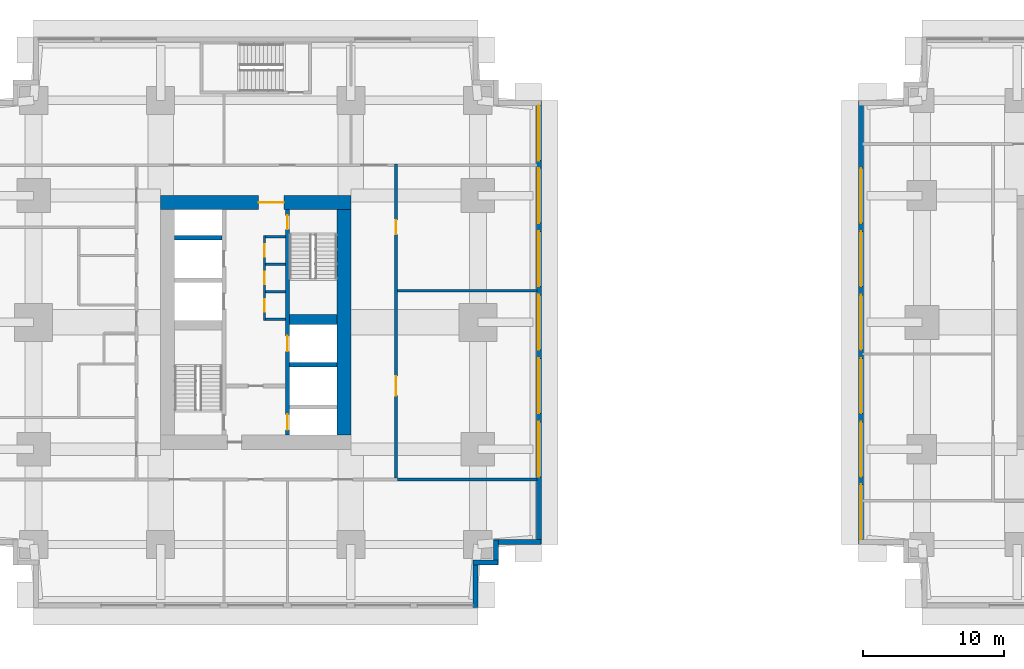
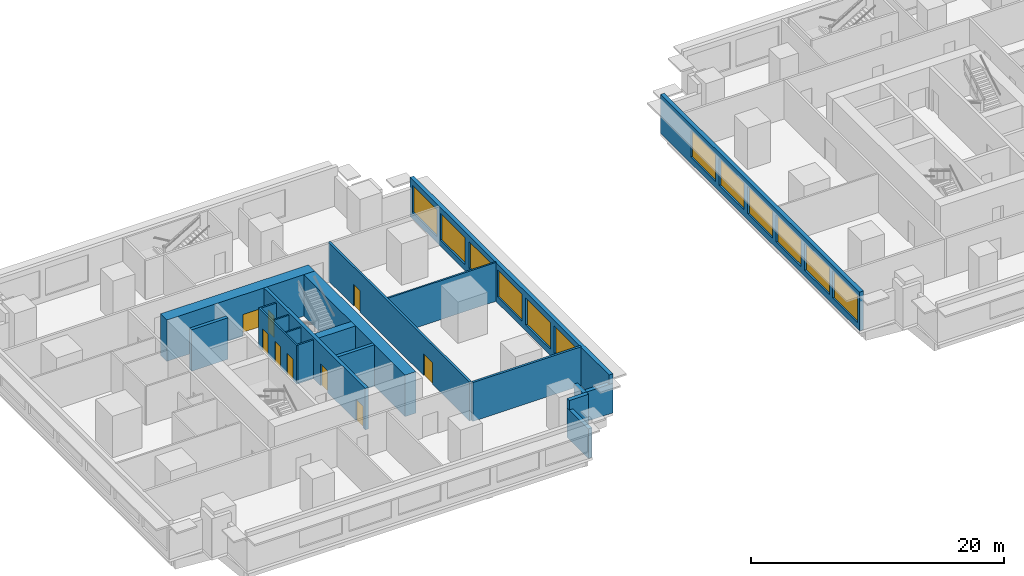
# One storey, part 4 of 11: 20 walls, 12 windows, 9 doors, 21 openings.
"""IFC4 building model written with IfcOpenShell, lengths in metres."""

from ifc_helpers import new_model, si_unit, direction, frame, frame_2d, origin, place, context, subcontext, project, spatial, rectangle, extrude, material, layer, layer_set, type_object, element, fill, save


model = new_model("IFC4")

# Units and contexts
model_context = context("Model", 3, precision=1e-05, world=origin(), true_north=direction((0.0, 1.0)))
body_context = subcontext(model_context, "Body", "Model", "MODEL_VIEW")
ifc_project = project(units=[si_unit("LENGTHUNIT", "METRE"), si_unit("AREAUNIT", "SQUARE_METRE"), si_unit("VOLUMEUNIT", "CUBIC_METRE"), si_unit("PLANEANGLEUNIT", "RADIAN"), si_unit("MASSUNIT", "GRAM", prefix="KILO")], contexts=[model_context])

# Site, building, storey
site_placement = place(None, origin())
site = spatial("IfcSite", under=ifc_project, at=site_placement, CompositionType="ELEMENT")
building_placement = place(site_placement, origin())
building = spatial("IfcBuilding", under=site, at=building_placement, Name="Namib Vertical Campus", CompositionType="ELEMENT")
storey_placement = place(building_placement, frame((0.0, 0.0, 65.0)))
storey = spatial("IfcBuildingStorey", under=building, at=storey_placement, Name="L15", CompositionType="ELEMENT", Elevation=65.0)

# Wall, openings, doors
ifc_material_1 = material(Name="Concrete C60/75", Category="concrete")
ifc_layer_1 = layer(ifc_material_1, 0.300048828125)
ifc_layer_set_1 = layer_set([ifc_layer_1], Name="Concrete C60/75")
wall_type_1 = type_object("IfcWallType", Name="Core inner wall 300", PredefinedType="SHEAR", material=ifc_layer_set_1)
wall_1_placement = place(storey_placement, frame((22.5, 12.25, 0.0), z_axis=(0.0, 0.0, 1.0), x_axis=(0.0, 1.0, 0.0)))
wall_1 = element("IfcWall", 1, at=wall_1_placement, inside=storey, type_object=wall_type_1, Name="Core inner wall A L15 W2", PredefinedType="SHEAR", context=body_context, shape_type="SweptSolid", body=[
    extrude(rectangle(XDim=16.0, YDim=0.300048828125, at=frame_2d((8.0, 0.0))), origin(), (0.0, 0.0, 1.0), 4.0),
])
opening_1_placement = place(wall_1_placement, frame((14.60009765625, 0.0, 0.0)))
opening_1 = element("IfcOpeningElement", 2, at=opening_1_placement, cuts=wall_1, Name="Opening FD1", PredefinedType="OPENING", context=body_context, shape_type="SweptSolid", body=[
    extrude(rectangle(XDim=1.0, YDim=2.10009765625, at=frame_2d((0.5, 1.050048828125))), frame((0.0, 0.159912109375, 0.0), z_axis=(0.0, -1.0, 0.0), x_axis=(1.0, 0.0, 0.0)), (0.0, 0.0, 1.0), 0.320068359375),
])
opening_2_placement = place(wall_1_placement, frame((0.375, 0.0, 0.0)))
opening_2 = element("IfcOpeningElement", 3, at=opening_2_placement, cuts=wall_1, Name="Opening LD1", PredefinedType="OPENING", context=body_context, shape_type="SweptSolid", body=[
    extrude(rectangle(XDim=1.10009765625, YDim=2.10009765625, at=frame_2d((0.550048828125, 1.050048828125))), frame((0.0, 0.159912109375, 0.0), z_axis=(0.0, -1.0, 0.0), x_axis=(1.0, 0.0, 0.0)), (0.0, 0.0, 1.0), 0.320068359375),
])
opening_3_placement = place(wall_1_placement, frame((5.949951171875, 0.0, 0.0)))
opening_3 = element("IfcOpeningElement", 4, at=opening_3_placement, cuts=wall_1, Name="Opening LD1", PredefinedType="OPENING", context=body_context, shape_type="SweptSolid", body=[
    extrude(rectangle(XDim=1.10009765625, YDim=2.10009765625, at=frame_2d((0.550048828125, 1.050048828125))), frame((0.0, 0.159912109375, 0.0), z_axis=(0.0, -1.0, 0.0), x_axis=(1.0, 0.0, 0.0)), (0.0, 0.0, 1.0), 0.320068359375),
])
ifc_material_2 = material(Name="Steel fire door", Category="steel")
door_type_1 = type_object("IfcDoorType", Name="Fire door 1000x2100", OperationType="SINGLE_SWING_RIGHT", PredefinedType="DOOR", material=ifc_material_2)
door_1_placement = place(opening_1_placement, frame((1.0, 0.0, 0.0), z_axis=(0.0, 0.0, 1.0), x_axis=(-1.0, 0.0, 0.0)))
door_1 = element("IfcDoor", 5, at=door_1_placement, inside=storey, type_object=door_type_1, Name="Stair door FD1 A L15 S2", OperationType="SINGLE_SWING_LEFT", OverallHeight=2.10009765625, OverallWidth=1.0, PredefinedType="DOOR", context=body_context, shape_type="SweptSolid", body=[
    extrude(rectangle(XDim=1.0, YDim=2.10009765625, at=frame_2d((0.5, 1.050048828125))), frame((0.0, 0.02490234375, 0.0), z_axis=(0.0, -1.0, 0.0), x_axis=(1.0, 0.0, 0.0)), (0.0, 0.0, 1.0), 0.050048828125),
])
fill(opening_1, door_1)
ifc_material_3 = material(Name="Stainless steel lift door", Category="steel")
door_type_2 = type_object("IfcDoorType", Name="Lift landing door 1100x2100", OperationType="DOUBLE_DOOR_SLIDING", PredefinedType="DOOR", material=ifc_material_3)
door_2_placement = place(opening_2_placement, origin())
door_2 = element("IfcDoor", 6, at=door_2_placement, inside=storey, type_object=door_type_2, Name="Lift landing door LD1 A-FL1 L15", OperationType="DOUBLE_DOOR_SLIDING", OverallHeight=2.10009765625, OverallWidth=1.10009765625, PredefinedType="DOOR", context=body_context, shape_type="SweptSolid", body=[
    extrude(rectangle(XDim=1.10009765625, YDim=2.10009765625, at=frame_2d((0.550048828125, 1.050048828125))), frame((0.0, 0.02490234375, 0.0), z_axis=(0.0, -1.0, 0.0), x_axis=(1.0, 0.0, 0.0)), (0.0, 0.0, 1.0), 0.050048828125),
])
fill(opening_2, door_2)
door_3_placement = place(opening_3_placement, origin())
door_3 = element("IfcDoor", 7, at=door_3_placement, inside=storey, type_object=door_type_2, Name="Lift landing door LD1 A-P5 L15", OperationType="DOUBLE_DOOR_SLIDING", OverallHeight=2.10009765625, OverallWidth=1.10009765625, PredefinedType="DOOR", context=body_context, shape_type="SweptSolid", body=[
    extrude(rectangle(XDim=1.10009765625, YDim=2.10009765625, at=frame_2d((0.550048828125, 1.050048828125))), frame((0.0, 0.02490234375, 0.0), z_axis=(0.0, -1.0, 0.0), x_axis=(1.0, 0.0, 0.0)), (0.0, 0.0, 1.0), 0.050048828125),
])
fill(opening_3, door_3)

# Walls
for number, where, z_axis, x_axis, name in (
    (8, (22.64990234375, 17.25, 0.0), (0.0, 0.0, 1.0), (1.0, 0.0, 0.0), "Core inner wall A L15 W6"),
    (9, (14.5, 26.25, 0.0), (0.0, 0.0, 1.0), (1.0, 0.0, 0.0), "Core inner wall A L15 W9"),
):
    element("IfcWall", number, at=place(storey_placement, frame(where, z_axis=z_axis, x_axis=x_axis)), inside=storey, type_object=wall_type_1, Name=name, PredefinedType="SHEAR", context=body_context, shape_type="SweptSolid", body=[
        extrude(rectangle(XDim=3.35009765625, YDim=0.300048828125, at=frame_2d((1.675048828125, 0.0))), origin(), (0.0, 0.0, 1.0), 4.0),
    ])
ifc_material_4 = material(Name="Concrete C60/75", Category="concrete")
ifc_layer_2 = layer(ifc_material_4, 0.699951171875)
ifc_layer_set_2 = layer_set([ifc_layer_2], Name="Concrete C60/75")
wall_type_2 = type_object("IfcWallType", Name="Core shear wall 700", PredefinedType="SHEAR", material=ifc_layer_set_2)
wall_2_placement = place(storey_placement, frame((22.64990234375, 20.449951171875, 0.0), z_axis=(0.0, 0.0, 1.0), x_axis=(1.0, 0.0, 0.0)))
element("IfcWall", 10, at=wall_2_placement, inside=storey, type_object=wall_type_2, Name="Core shear wall A L15 W7", PredefinedType="SHEAR", context=body_context, shape_type="SweptSolid", body=[
    extrude(rectangle(XDim=3.35009765625, YDim=0.699951171875, at=frame_2d((1.675048828125, 0.0))), origin(), (0.0, 0.0, 1.0), 4.0),
])
ifc_material_5 = material(Name="Concrete C60/75", Category="concrete")
ifc_layer_3 = layer(ifc_material_5, 1.0)
ifc_layer_set_3 = layer_set([ifc_layer_3], Name="Concrete C60/75")
wall_type_3 = type_object("IfcWallType", Name="Core wall 1000", PredefinedType="SHEAR", material=ifc_layer_set_3)
wall_3_placement = place(storey_placement, frame((26.5, 12.25, 0.0), z_axis=(0.0, 0.0, 1.0), x_axis=(0.0, 1.0, 0.0)))
element("IfcWall", 11, at=wall_3_placement, inside=storey, type_object=wall_type_3, Name="Core wall A L15 2", PredefinedType="SHEAR", context=body_context, shape_type="SweptSolid", body=[
    extrude(rectangle(XDim=16.0, YDim=1.0, at=frame_2d((8.0, 0.0))), origin(), (0.0, 0.0, 1.0), 4.0),
])

# Wall, opening, door
wall_4_placement = place(storey_placement, frame((27.0, 28.75, 0.0), z_axis=(0.0, 0.0, 1.0), x_axis=(-1.0, 0.0, 0.0)))
wall_4 = element("IfcWall", 12, at=wall_4_placement, inside=storey, type_object=wall_type_3, Name="Core wall A L15 3", PredefinedType="SHEAR", context=body_context, shape_type="SweptSolid", body=[
    extrude(rectangle(XDim=13.5, YDim=1.0, at=frame_2d((6.75, 0.0))), origin(), (0.0, 0.0, 1.0), 4.0),
])
opening_4_placement = place(wall_4_placement, frame((4.75, 0.0, 0.0)))
opening_4 = element("IfcOpeningElement", 13, at=opening_4_placement, cuts=wall_4, Name="Opening FD2", PredefinedType="OPENING", context=body_context, shape_type="SweptSolid", body=[
    extrude(rectangle(XDim=1.800048828125, YDim=2.10009765625, at=frame_2d((0.89990234375, 1.050048828125))), frame((0.0, 0.510009765625, 0.0), z_axis=(0.0, -1.0, 0.0), x_axis=(1.0, 0.0, 0.0)), (0.0, 0.0, 1.0), 1.02001953125),
])
ifc_material_6 = material(Name="Steel fire door", Category="steel")
door_type_3 = type_object("IfcDoorType", Name="Fire door double 1800x2100", OperationType="DOUBLE_DOOR_SINGLE_SWING", PredefinedType="DOOR", material=ifc_material_6)
door_4_placement = place(opening_4_placement, origin())
door_4 = element("IfcDoor", 14, at=door_4_placement, inside=storey, type_object=door_type_3, Name="Lift lobby door FD2 A L15", OperationType="DOUBLE_DOOR_SINGLE_SWING", OverallHeight=2.10009765625, OverallWidth=1.800048828125, PredefinedType="DOOR", context=body_context, shape_type="SweptSolid", body=[
    extrude(rectangle(XDim=1.800048828125, YDim=2.10009765625, at=frame_2d((0.89990234375, 1.050048828125))), frame((0.0, 0.02490234375, 0.0), z_axis=(0.0, -1.0, 0.0), x_axis=(1.0, 0.0, 0.0)), (0.0, 0.0, 1.0), 0.050048828125),
])
fill(opening_4, door_4)

# Wall, openings, doors
ifc_material_7 = material(Name="Concrete masonry", Category="masonry")
ifc_layer_4 = layer(ifc_material_7, 0.199951171875)
ifc_layer_set_4 = layer_set([ifc_layer_4], Name="Corridor wall 200")
wall_type_4 = type_object("IfcWallType", Name="Corridor wall 200", PredefinedType="SOLIDWALL", material=ifc_layer_set_4)
wall_5_placement = place(storey_placement, frame((30.199951171875, 9.199951171875, 0.0), z_axis=(0.0, 0.0, 1.0), x_axis=(0.0, 1.0, 0.0)))
wall_5 = element("IfcWall", 15, at=wall_5_placement, inside=storey, type_object=wall_type_4, Name="Corridor wall A L15 CE", PredefinedType="SOLIDWALL", context=body_context, shape_type="SweptSolid", body=[
    extrude(rectangle(XDim=22.300048828125, YDim=0.199951171875, at=frame_2d((11.14990234375, 0.0))), origin(), (0.0, 0.0, 1.0), 3.75),
])
opening_5_placement = place(wall_5_placement, frame((5.85009765625, 0.0, 0.0)))
opening_5 = element("IfcOpeningElement", 16, at=opening_5_placement, cuts=wall_5, Name="Opening LB1", PredefinedType="OPENING", context=body_context, shape_type="SweptSolid", body=[
    extrude(rectangle(XDim=1.39990234375, YDim=2.10009765625, at=frame_2d((0.699951171875, 1.050048828125))), frame((0.0, 0.10986328125, 0.0), z_axis=(0.0, -1.0, 0.0), x_axis=(1.0, 0.0, 0.0)), (0.0, 0.0, 1.0), 0.219970703125),
])
opening_6_placement = place(wall_5_placement, frame((17.300048828125, 0.0, 0.0)))
opening_6 = element("IfcOpeningElement", 17, at=opening_6_placement, cuts=wall_5, Name="Opening CD1", PredefinedType="OPENING", context=body_context, shape_type="SweptSolid", body=[
    extrude(rectangle(XDim=1.0, YDim=2.10009765625, at=frame_2d((0.5, 1.050048828125))), frame((0.0, 0.10986328125, 0.0), z_axis=(0.0, -1.0, 0.0), x_axis=(1.0, 0.0, 0.0)), (0.0, 0.0, 1.0), 0.219970703125),
])
ifc_material_8 = material(Name="Timber fire door leaf", Category="wood")
door_type_4 = type_object("IfcDoorType", Name="Corridor door 1000x2100 20 min", OperationType="SINGLE_SWING_LEFT", PredefinedType="DOOR", material=ifc_material_8)
door_5_placement = place(opening_6_placement, frame((1.0, 0.0, 0.0), z_axis=(0.0, 0.0, 1.0), x_axis=(-1.0, 0.0, 0.0)))
door_5 = element("IfcDoor", 18, at=door_5_placement, inside=storey, type_object=door_type_4, Name="Door CD1 A15-05", OperationType="SINGLE_SWING_RIGHT", OverallHeight=2.10009765625, OverallWidth=1.0, PredefinedType="DOOR", context=body_context, shape_type="SweptSolid", body=[
    extrude(rectangle(XDim=1.0, YDim=2.10009765625, at=frame_2d((0.5, 1.050048828125))), frame((0.0, 0.02490234375, 0.0), z_axis=(0.0, -1.0, 0.0), x_axis=(1.0, 0.0, 0.0)), (0.0, 0.0, 1.0), 0.050048828125),
])
fill(opening_6, door_5)
ifc_material_9 = material(Name="Timber fire door leaf", Category="wood")
door_type_5 = type_object("IfcDoorType", Name="Laboratory door 1400x2100 leaf and a half", OperationType="DOUBLE_DOOR_SINGLE_SWING", PredefinedType="DOOR", material=ifc_material_9)
door_6_placement = place(opening_5_placement, frame((1.39990234375, 0.0, 0.0), z_axis=(0.0, 0.0, 1.0), x_axis=(-1.0, 0.0, 0.0)))
door_6 = element("IfcDoor", 19, at=door_6_placement, inside=storey, type_object=door_type_5, Name="Door LB1 A15-04", OperationType="DOUBLE_DOOR_SINGLE_SWING", OverallHeight=2.10009765625, OverallWidth=1.39990234375, PredefinedType="DOOR", context=body_context, shape_type="SweptSolid", body=[
    extrude(rectangle(XDim=1.39990234375, YDim=2.10009765625, at=frame_2d((0.699951171875, 1.050048828125))), frame((0.0, 0.02490234375, 0.0), z_axis=(0.0, -1.0, 0.0), x_axis=(1.0, 0.0, 0.0)), (0.0, 0.0, 1.0), 0.050048828125),
])
fill(opening_5, door_6)

# Walls
wall_6_placement = place(storey_placement, frame((30.300048828125, 9.10009765625, 0.0), z_axis=(0.0, 0.0, 1.0), x_axis=(1.0, 0.0, 0.0)))
element("IfcWall", 20, at=wall_6_placement, inside=storey, type_object=wall_type_4, Name="Partition A L15 BSE", PredefinedType="SOLIDWALL", context=body_context, shape_type="SweptSolid", body=[
    extrude(rectangle(XDim=9.89990234375, YDim=0.199951171875, at=frame_2d((4.949951171875, 0.0))), origin(), (0.0, 0.0, 1.0), 3.75),
])
ifc_material_10 = material(Name="Concrete C40/50", Category="concrete")
ifc_layer_5 = layer(ifc_material_10, 0.35009765625)
ifc_layer_set_5 = layer_set([ifc_layer_5], Name="Concrete C40/50")
wall_type_5 = type_object("IfcWallType", Name="External wall 350 bush-hammered concrete", PredefinedType="STANDARD", material=ifc_layer_set_5)
wall_7_placement = place(storey_placement, frame((35.824951171875, 0.02001953125, 0.0), z_axis=(0.0, 0.0, 1.0), x_axis=(0.0, 1.0, 0.0)))
element("IfcWall", 21, at=wall_7_placement, inside=storey, type_object=wall_type_5, Name="External wall L15 F02", PredefinedType="STANDARD", context=body_context, shape_type="SweptSolid", body=[
    extrude(rectangle(XDim=3.35986328125, YDim=0.35009765625, at=frame_2d((1.679931640625, 0.0))), origin(), (0.0, 0.0, 1.0), 2.85009765625),
])
for number, where, z_axis, x_axis, name in (
    (22, (35.669921875, 3.22509765625, 0.0), (0.0, 0.0, 1.0), (1.0, 0.0, 0.0), "External wall L15 F03"),
    (23, (37.27490234375, 3.070068359375, 0.0), (0.0, 0.0, 1.0), (0.0, 1.0, 0.0), "External wall L15 F04"),
):
    element("IfcWall", number, at=place(storey_placement, frame(where, z_axis=z_axis, x_axis=x_axis)), inside=storey, type_object=wall_type_5, Name=name, PredefinedType="STANDARD", context=body_context, shape_type="SweptSolid", body=[
        extrude(rectangle(XDim=1.760009765625, YDim=0.35009765625, at=frame_2d((0.8798828125, 0.0))), origin(), (0.0, 0.0, 1.0), 3.75),
    ])
wall_8_placement = place(storey_placement, frame((37.1201171875, 4.675048828125, 0.0), z_axis=(0.0, 0.0, 1.0), x_axis=(1.0, 0.0, 0.0)))
element("IfcWall", 24, at=wall_8_placement, inside=storey, type_object=wall_type_5, Name="External wall L15 F05", PredefinedType="STANDARD", context=body_context, shape_type="SweptSolid", body=[
    extrude(rectangle(XDim=3.35986328125, YDim=0.35009765625, at=frame_2d((1.679931640625, 0.0))), origin(), (0.0, 0.0, 1.0), 2.85009765625),
])

# Wall, openings, windows
wall_9_placement = place(storey_placement, frame((40.324951171875, 4.52001953125, 0.0), z_axis=(0.0, 0.0, 1.0), x_axis=(0.0, 1.0, 0.0)))
wall_9 = element("IfcWall", 25, at=wall_9_placement, inside=storey, type_object=wall_type_5, Name="External wall L15 F06", PredefinedType="STANDARD", context=body_context, shape_type="SweptSolid", body=[
    extrude(rectangle(XDim=31.4599609375, YDim=0.35009765625, at=frame_2d((15.72998046875, 0.0))), origin(), (0.0, 0.0, 1.0), 3.75),
])
opening_7_placement = place(wall_9_placement, frame((4.780029296875, 0.0, 0.60009765625)))
opening_7 = element("IfcOpeningElement", 26, at=opening_7_placement, cuts=wall_9, Name="Opening W2", PredefinedType="OPENING", context=body_context, shape_type="SweptSolid", body=[
    extrude(rectangle(XDim=3.89990234375, YDim=2.60009765625, at=frame_2d((1.949951171875, 1.300048828125))), frame((0.0, 0.18505859375, 0.0), z_axis=(0.0, -1.0, 0.0), x_axis=(1.0, 0.0, 0.0)), (0.0, 0.0, 1.0), 0.3701171875),
])
opening_8_placement = place(wall_9_placement, frame((9.280029296875, 0.0, 0.60009765625)))
opening_8 = element("IfcOpeningElement", 27, at=opening_8_placement, cuts=wall_9, Name="Opening W2", PredefinedType="OPENING", context=body_context, shape_type="SweptSolid", body=[
    extrude(rectangle(XDim=3.89990234375, YDim=2.60009765625, at=frame_2d((1.949951171875, 1.300048828125))), frame((0.0, 0.18505859375, 0.0), z_axis=(0.0, -1.0, 0.0), x_axis=(1.0, 0.0, 0.0)), (0.0, 0.0, 1.0), 0.3701171875),
])
opening_9_placement = place(wall_9_placement, frame((13.780029296875, 0.0, 0.60009765625)))
opening_9 = element("IfcOpeningElement", 28, at=opening_9_placement, cuts=wall_9, Name="Opening W2", PredefinedType="OPENING", context=body_context, shape_type="SweptSolid", body=[
    extrude(rectangle(XDim=3.89990234375, YDim=2.60009765625, at=frame_2d((1.949951171875, 1.300048828125))), frame((0.0, 0.18505859375, 0.0), z_axis=(0.0, -1.0, 0.0), x_axis=(1.0, 0.0, 0.0)), (0.0, 0.0, 1.0), 0.3701171875),
])
opening_10_placement = place(wall_9_placement, frame((18.280029296875, 0.0, 0.60009765625)))
opening_10 = element("IfcOpeningElement", 29, at=opening_10_placement, cuts=wall_9, Name="Opening W2", PredefinedType="OPENING", context=body_context, shape_type="SweptSolid", body=[
    extrude(rectangle(XDim=3.89990234375, YDim=2.60009765625, at=frame_2d((1.949951171875, 1.300048828125))), frame((0.0, 0.18505859375, 0.0), z_axis=(0.0, -1.0, 0.0), x_axis=(1.0, 0.0, 0.0)), (0.0, 0.0, 1.0), 0.3701171875),
])
opening_11_placement = place(wall_9_placement, frame((22.780029296875, 0.0, 0.60009765625)))
opening_11 = element("IfcOpeningElement", 30, at=opening_11_placement, cuts=wall_9, Name="Opening W2", PredefinedType="OPENING", context=body_context, shape_type="SweptSolid", body=[
    extrude(rectangle(XDim=3.89990234375, YDim=2.60009765625, at=frame_2d((1.949951171875, 1.300048828125))), frame((0.0, 0.18505859375, 0.0), z_axis=(0.0, -1.0, 0.0), x_axis=(1.0, 0.0, 0.0)), (0.0, 0.0, 1.0), 0.3701171875),
])
opening_12_placement = place(wall_9_placement, frame((27.2099609375, 0.0, 0.60009765625)))
opening_12 = element("IfcOpeningElement", 31, at=opening_12_placement, cuts=wall_9, Name="Opening W2", PredefinedType="OPENING", context=body_context, shape_type="SweptSolid", body=[
    extrude(rectangle(XDim=3.89990234375, YDim=2.60009765625, at=frame_2d((1.949951171875, 1.300048828125))), frame((0.0, 0.18505859375, 0.0), z_axis=(0.0, -1.0, 0.0), x_axis=(1.0, 0.0, 0.0)), (0.0, 0.0, 1.0), 0.3701171875),
])
ifc_material_11 = material(Name="Dark tinted glass in black aluminium frame", Category="aluminium")
window_type = type_object("IfcWindowType", Name="Ribbon window 3900x2600", PartitioningType="SINGLE_PANEL", PredefinedType="WINDOW", material=ifc_material_11)
window_1_placement = place(opening_7_placement, origin())
window_1 = element("IfcWindow", 32, at=window_1_placement, inside=storey, type_object=window_type, Name="Window W2 L15 F06-2", OverallHeight=2.60009765625, OverallWidth=3.89990234375, PartitioningType="SINGLE_PANEL", PredefinedType="WINDOW", context=body_context, shape_type="SweptSolid", body=[
    extrude(rectangle(XDim=3.89990234375, YDim=2.60009765625, at=frame_2d((1.949951171875, 1.300048828125))), frame((0.0, 0.030029296875, 0.0), z_axis=(0.0, -1.0, 0.0), x_axis=(1.0, 0.0, 0.0)), (0.0, 0.0, 1.0), 0.06005859375),
])
fill(opening_7, window_1)
window_2_placement = place(opening_8_placement, origin())
window_2 = element("IfcWindow", 33, at=window_2_placement, inside=storey, type_object=window_type, Name="Window W2 L15 F06-3", OverallHeight=2.60009765625, OverallWidth=3.89990234375, PartitioningType="SINGLE_PANEL", PredefinedType="WINDOW", context=body_context, shape_type="SweptSolid", body=[
    extrude(rectangle(XDim=3.89990234375, YDim=2.60009765625, at=frame_2d((1.949951171875, 1.300048828125))), frame((0.0, 0.030029296875, 0.0), z_axis=(0.0, -1.0, 0.0), x_axis=(1.0, 0.0, 0.0)), (0.0, 0.0, 1.0), 0.06005859375),
])
fill(opening_8, window_2)
window_3_placement = place(opening_9_placement, origin())
window_3 = element("IfcWindow", 34, at=window_3_placement, inside=storey, type_object=window_type, Name="Window W2 L15 F06-4", OverallHeight=2.60009765625, OverallWidth=3.89990234375, PartitioningType="SINGLE_PANEL", PredefinedType="WINDOW", context=body_context, shape_type="SweptSolid", body=[
    extrude(rectangle(XDim=3.89990234375, YDim=2.60009765625, at=frame_2d((1.949951171875, 1.300048828125))), frame((0.0, 0.030029296875, 0.0), z_axis=(0.0, -1.0, 0.0), x_axis=(1.0, 0.0, 0.0)), (0.0, 0.0, 1.0), 0.06005859375),
])
fill(opening_9, window_3)
window_4_placement = place(opening_10_placement, origin())
window_4 = element("IfcWindow", 35, at=window_4_placement, inside=storey, type_object=window_type, Name="Window W2 L15 F06-5", OverallHeight=2.60009765625, OverallWidth=3.89990234375, PartitioningType="SINGLE_PANEL", PredefinedType="WINDOW", context=body_context, shape_type="SweptSolid", body=[
    extrude(rectangle(XDim=3.89990234375, YDim=2.60009765625, at=frame_2d((1.949951171875, 1.300048828125))), frame((0.0, 0.030029296875, 0.0), z_axis=(0.0, -1.0, 0.0), x_axis=(1.0, 0.0, 0.0)), (0.0, 0.0, 1.0), 0.06005859375),
])
fill(opening_10, window_4)
window_5_placement = place(opening_11_placement, origin())
window_5 = element("IfcWindow", 36, at=window_5_placement, inside=storey, type_object=window_type, Name="Window W2 L15 F06-6", OverallHeight=2.60009765625, OverallWidth=3.89990234375, PartitioningType="SINGLE_PANEL", PredefinedType="WINDOW", context=body_context, shape_type="SweptSolid", body=[
    extrude(rectangle(XDim=3.89990234375, YDim=2.60009765625, at=frame_2d((1.949951171875, 1.300048828125))), frame((0.0, 0.030029296875, 0.0), z_axis=(0.0, -1.0, 0.0), x_axis=(1.0, 0.0, 0.0)), (0.0, 0.0, 1.0), 0.06005859375),
])
fill(opening_11, window_5)
window_6_placement = place(opening_12_placement, origin())
window_6 = element("IfcWindow", 37, at=window_6_placement, inside=storey, type_object=window_type, Name="Window W2 L15 F06-7", OverallHeight=2.60009765625, OverallWidth=3.89990234375, PartitioningType="SINGLE_PANEL", PredefinedType="WINDOW", context=body_context, shape_type="SweptSolid", body=[
    extrude(rectangle(XDim=3.89990234375, YDim=2.60009765625, at=frame_2d((1.949951171875, 1.300048828125))), frame((0.0, 0.030029296875, 0.0), z_axis=(0.0, -1.0, 0.0), x_axis=(1.0, 0.0, 0.0)), (0.0, 0.0, 1.0), 0.06005859375),
])
fill(opening_12, window_6)

wall_10_placement = place(storey_placement, frame((63.175048828125, 35.97998046875, 0.0), z_axis=(0.0, 0.0, 1.0), x_axis=(0.0, -1.0, 0.0)))
wall_10 = element("IfcWall", 38, at=wall_10_placement, inside=storey, type_object=wall_type_5, Name="External wall L15 F16", PredefinedType="STANDARD", context=body_context, shape_type="SweptSolid", body=[
    extrude(rectangle(XDim=31.4599609375, YDim=0.35009765625, at=frame_2d((15.72998046875, 0.0))), origin(), (0.0, 0.0, 1.0), 3.75),
])
opening_13_placement = place(wall_10_placement, frame((27.2099609375, 0.0, 0.60009765625)))
opening_13 = element("IfcOpeningElement", 39, at=opening_13_placement, cuts=wall_10, Name="Opening W2", PredefinedType="OPENING", context=body_context, shape_type="SweptSolid", body=[
    extrude(rectangle(XDim=3.89990234375, YDim=2.60009765625, at=frame_2d((1.949951171875, 1.300048828125))), frame((0.0, 0.18505859375, 0.0), z_axis=(0.0, -1.0, 0.0), x_axis=(1.0, 0.0, 0.0)), (0.0, 0.0, 1.0), 0.3701171875),
])
opening_14_placement = place(wall_10_placement, frame((22.780029296875, 0.0, 0.60009765625)))
opening_14 = element("IfcOpeningElement", 40, at=opening_14_placement, cuts=wall_10, Name="Opening W2", PredefinedType="OPENING", context=body_context, shape_type="SweptSolid", body=[
    extrude(rectangle(XDim=3.89990234375, YDim=2.60009765625, at=frame_2d((1.949951171875, 1.300048828125))), frame((0.0, 0.18505859375, 0.0), z_axis=(0.0, -1.0, 0.0), x_axis=(1.0, 0.0, 0.0)), (0.0, 0.0, 1.0), 0.3701171875),
])
opening_15_placement = place(wall_10_placement, frame((18.280029296875, 0.0, 0.60009765625)))
opening_15 = element("IfcOpeningElement", 41, at=opening_15_placement, cuts=wall_10, Name="Opening W2", PredefinedType="OPENING", context=body_context, shape_type="SweptSolid", body=[
    extrude(rectangle(XDim=3.89990234375, YDim=2.60009765625, at=frame_2d((1.949951171875, 1.300048828125))), frame((0.0, 0.18505859375, 0.0), z_axis=(0.0, -1.0, 0.0), x_axis=(1.0, 0.0, 0.0)), (0.0, 0.0, 1.0), 0.3701171875),
])
opening_16_placement = place(wall_10_placement, frame((13.780029296875, 0.0, 0.60009765625)))
opening_16 = element("IfcOpeningElement", 42, at=opening_16_placement, cuts=wall_10, Name="Opening W2", PredefinedType="OPENING", context=body_context, shape_type="SweptSolid", body=[
    extrude(rectangle(XDim=3.89990234375, YDim=2.60009765625, at=frame_2d((1.949951171875, 1.300048828125))), frame((0.0, 0.18505859375, 0.0), z_axis=(0.0, -1.0, 0.0), x_axis=(1.0, 0.0, 0.0)), (0.0, 0.0, 1.0), 0.3701171875),
])
opening_17_placement = place(wall_10_placement, frame((9.280029296875, 0.0, 0.60009765625)))
opening_17 = element("IfcOpeningElement", 43, at=opening_17_placement, cuts=wall_10, Name="Opening W2", PredefinedType="OPENING", context=body_context, shape_type="SweptSolid", body=[
    extrude(rectangle(XDim=3.89990234375, YDim=2.60009765625, at=frame_2d((1.949951171875, 1.300048828125))), frame((0.0, 0.18505859375, 0.0), z_axis=(0.0, -1.0, 0.0), x_axis=(1.0, 0.0, 0.0)), (0.0, 0.0, 1.0), 0.3701171875),
])
opening_18_placement = place(wall_10_placement, frame((4.780029296875, 0.0, 0.60009765625)))
opening_18 = element("IfcOpeningElement", 44, at=opening_18_placement, cuts=wall_10, Name="Opening W2", PredefinedType="OPENING", context=body_context, shape_type="SweptSolid", body=[
    extrude(rectangle(XDim=3.89990234375, YDim=2.60009765625, at=frame_2d((1.949951171875, 1.300048828125))), frame((0.0, 0.18505859375, 0.0), z_axis=(0.0, -1.0, 0.0), x_axis=(1.0, 0.0, 0.0)), (0.0, 0.0, 1.0), 0.3701171875),
])
window_7_placement = place(opening_13_placement, origin())
window_7 = element("IfcWindow", 45, at=window_7_placement, inside=storey, type_object=window_type, Name="Window W2 L15 F16-1", OverallHeight=2.60009765625, OverallWidth=3.89990234375, PartitioningType="SINGLE_PANEL", PredefinedType="WINDOW", context=body_context, shape_type="SweptSolid", body=[
    extrude(rectangle(XDim=3.89990234375, YDim=2.60009765625, at=frame_2d((1.949951171875, 1.300048828125))), frame((0.0, 0.030029296875, 0.0), z_axis=(0.0, -1.0, 0.0), x_axis=(1.0, 0.0, 0.0)), (0.0, 0.0, 1.0), 0.06005859375),
])
fill(opening_13, window_7)
window_8_placement = place(opening_14_placement, origin())
window_8 = element("IfcWindow", 46, at=window_8_placement, inside=storey, type_object=window_type, Name="Window W2 L15 F16-2", OverallHeight=2.60009765625, OverallWidth=3.89990234375, PartitioningType="SINGLE_PANEL", PredefinedType="WINDOW", context=body_context, shape_type="SweptSolid", body=[
    extrude(rectangle(XDim=3.89990234375, YDim=2.60009765625, at=frame_2d((1.949951171875, 1.300048828125))), frame((0.0, 0.030029296875, 0.0), z_axis=(0.0, -1.0, 0.0), x_axis=(1.0, 0.0, 0.0)), (0.0, 0.0, 1.0), 0.06005859375),
])
fill(opening_14, window_8)
window_9_placement = place(opening_15_placement, origin())
window_9 = element("IfcWindow", 47, at=window_9_placement, inside=storey, type_object=window_type, Name="Window W2 L15 F16-3", OverallHeight=2.60009765625, OverallWidth=3.89990234375, PartitioningType="SINGLE_PANEL", PredefinedType="WINDOW", context=body_context, shape_type="SweptSolid", body=[
    extrude(rectangle(XDim=3.89990234375, YDim=2.60009765625, at=frame_2d((1.949951171875, 1.300048828125))), frame((0.0, 0.030029296875, 0.0), z_axis=(0.0, -1.0, 0.0), x_axis=(1.0, 0.0, 0.0)), (0.0, 0.0, 1.0), 0.06005859375),
])
fill(opening_15, window_9)
window_10_placement = place(opening_16_placement, origin())
window_10 = element("IfcWindow", 48, at=window_10_placement, inside=storey, type_object=window_type, Name="Window W2 L15 F16-4", OverallHeight=2.60009765625, OverallWidth=3.89990234375, PartitioningType="SINGLE_PANEL", PredefinedType="WINDOW", context=body_context, shape_type="SweptSolid", body=[
    extrude(rectangle(XDim=3.89990234375, YDim=2.60009765625, at=frame_2d((1.949951171875, 1.300048828125))), frame((0.0, 0.030029296875, 0.0), z_axis=(0.0, -1.0, 0.0), x_axis=(1.0, 0.0, 0.0)), (0.0, 0.0, 1.0), 0.06005859375),
])
fill(opening_16, window_10)
window_11_placement = place(opening_17_placement, origin())
window_11 = element("IfcWindow", 49, at=window_11_placement, inside=storey, type_object=window_type, Name="Window W2 L15 F16-5", OverallHeight=2.60009765625, OverallWidth=3.89990234375, PartitioningType="SINGLE_PANEL", PredefinedType="WINDOW", context=body_context, shape_type="SweptSolid", body=[
    extrude(rectangle(XDim=3.89990234375, YDim=2.60009765625, at=frame_2d((1.949951171875, 1.300048828125))), frame((0.0, 0.030029296875, 0.0), z_axis=(0.0, -1.0, 0.0), x_axis=(1.0, 0.0, 0.0)), (0.0, 0.0, 1.0), 0.06005859375),
])
fill(opening_17, window_11)
window_12_placement = place(opening_18_placement, origin())
window_12 = element("IfcWindow", 50, at=window_12_placement, inside=storey, type_object=window_type, Name="Window W2 L15 F16-6", OverallHeight=2.60009765625, OverallWidth=3.89990234375, PartitioningType="SINGLE_PANEL", PredefinedType="WINDOW", context=body_context, shape_type="SweptSolid", body=[
    extrude(rectangle(XDim=3.89990234375, YDim=2.60009765625, at=frame_2d((1.949951171875, 1.300048828125))), frame((0.0, 0.030029296875, 0.0), z_axis=(0.0, -1.0, 0.0), x_axis=(1.0, 0.0, 0.0)), (0.0, 0.0, 1.0), 0.06005859375),
])
fill(opening_18, window_12)

# Wall, openings, doors
ifc_material_12 = material(Name="Gypsum board on steel studs", Category="steel")
ifc_layer_6 = layer(ifc_material_12, 0.14990234375)
ifc_layer_set_6 = layer_set([ifc_layer_6], Name="Gypsum board on steel studs")
wall_type_6 = type_object("IfcWallType", Name="Partition 150", PredefinedType="PARTITIONING", material=ifc_layer_set_6)
wall_11_placement = place(storey_placement, frame((20.875, 20.39990234375, 0.0), z_axis=(0.0, 0.0, 1.0), x_axis=(0.0, 1.0, 0.0)))
wall_11 = element("IfcWall", 51, at=wall_11_placement, inside=storey, type_object=wall_type_6, Name="Partition A L15 Records store and Cleaners' store and Linen store front", PredefinedType="PARTITIONING", context=body_context, shape_type="SweptSolid", body=[
    extrude(rectangle(XDim=6.0, YDim=0.14990234375, at=frame_2d((3.0, 0.0))), origin(), (0.0, 0.0, 1.0), 3.75),
])
opening_19_placement = place(wall_11_placement, frame((0.60009765625, 0.0, 0.0)))
opening_19 = element("IfcOpeningElement", 52, at=opening_19_placement, cuts=wall_11, Name="Opening D3", PredefinedType="OPENING", context=body_context, shape_type="SweptSolid", body=[
    extrude(rectangle(XDim=0.89990234375, YDim=2.10009765625, at=frame_2d((0.449951171875, 1.050048828125))), frame((0.0, 0.0849609375, 0.0), z_axis=(0.0, -1.0, 0.0), x_axis=(1.0, 0.0, 0.0)), (0.0, 0.0, 1.0), 0.169921875),
])
opening_20_placement = place(wall_11_placement, frame((2.550048828125, 0.0, 0.0)))
opening_20 = element("IfcOpeningElement", 53, at=opening_20_placement, cuts=wall_11, Name="Opening D3", PredefinedType="OPENING", context=body_context, shape_type="SweptSolid", body=[
    extrude(rectangle(XDim=0.89990234375, YDim=2.10009765625, at=frame_2d((0.449951171875, 1.050048828125))), frame((0.0, 0.0849609375, 0.0), z_axis=(0.0, -1.0, 0.0), x_axis=(1.0, 0.0, 0.0)), (0.0, 0.0, 1.0), 0.169921875),
])
opening_21_placement = place(wall_11_placement, frame((4.5, 0.0, 0.0)))
opening_21 = element("IfcOpeningElement", 54, at=opening_21_placement, cuts=wall_11, Name="Opening D3", PredefinedType="OPENING", context=body_context, shape_type="SweptSolid", body=[
    extrude(rectangle(XDim=0.89990234375, YDim=2.10009765625, at=frame_2d((0.449951171875, 1.050048828125))), frame((0.0, 0.0849609375, 0.0), z_axis=(0.0, -1.0, 0.0), x_axis=(1.0, 0.0, 0.0)), (0.0, 0.0, 1.0), 0.169921875),
])
ifc_material_13 = material(Name="Timber door leaf", Category="wood")
door_type_6 = type_object("IfcDoorType", Name="Toilet door 900x2100", OperationType="SINGLE_SWING_LEFT", PredefinedType="DOOR", material=ifc_material_13)
door_7_placement = place(opening_19_placement, frame((0.89990234375, 0.0, 0.0), z_axis=(0.0, 0.0, 1.0), x_axis=(-1.0, 0.0, 0.0)))
door_7 = element("IfcDoor", 55, at=door_7_placement, inside=storey, type_object=door_type_6, Name="Door D3 Records store A L15", OperationType="SINGLE_SWING_RIGHT", OverallHeight=2.10009765625, OverallWidth=0.89990234375, PredefinedType="DOOR", context=body_context, shape_type="SweptSolid", body=[
    extrude(rectangle(XDim=0.89990234375, YDim=2.10009765625, at=frame_2d((0.449951171875, 1.050048828125))), frame((0.0, 0.02490234375, 0.0), z_axis=(0.0, -1.0, 0.0), x_axis=(1.0, 0.0, 0.0)), (0.0, 0.0, 1.0), 0.050048828125),
])
fill(opening_19, door_7)
door_8_placement = place(opening_20_placement, frame((0.89990234375, 0.0, 0.0), z_axis=(0.0, 0.0, 1.0), x_axis=(-1.0, 0.0, 0.0)))
door_8 = element("IfcDoor", 56, at=door_8_placement, inside=storey, type_object=door_type_6, Name="Door D3 Cleaners' store A L15", OperationType="SINGLE_SWING_RIGHT", OverallHeight=2.10009765625, OverallWidth=0.89990234375, PredefinedType="DOOR", context=body_context, shape_type="SweptSolid", body=[
    extrude(rectangle(XDim=0.89990234375, YDim=2.10009765625, at=frame_2d((0.449951171875, 1.050048828125))), frame((0.0, 0.02490234375, 0.0), z_axis=(0.0, -1.0, 0.0), x_axis=(1.0, 0.0, 0.0)), (0.0, 0.0, 1.0), 0.050048828125),
])
fill(opening_20, door_8)
door_9_placement = place(opening_21_placement, frame((0.89990234375, 0.0, 0.0), z_axis=(0.0, 0.0, 1.0), x_axis=(-1.0, 0.0, 0.0)))
door_9 = element("IfcDoor", 57, at=door_9_placement, inside=storey, type_object=door_type_6, Name="Door D3 Linen store A L15", OperationType="SINGLE_SWING_RIGHT", OverallHeight=2.10009765625, OverallWidth=0.89990234375, PredefinedType="DOOR", context=body_context, shape_type="SweptSolid", body=[
    extrude(rectangle(XDim=0.89990234375, YDim=2.10009765625, at=frame_2d((0.449951171875, 1.050048828125))), frame((0.0, 0.02490234375, 0.0), z_axis=(0.0, -1.0, 0.0), x_axis=(1.0, 0.0, 0.0)), (0.0, 0.0, 1.0), 0.050048828125),
])
fill(opening_21, door_9)

# Walls
for number, where, z_axis, x_axis, name in (
    (58, (20.949951171875, 20.47509765625, 0.0), (0.0, 0.0, 1.0), (1.0, 0.0, 0.0), "Partition A L15 Records store and Cleaners' store and Linen store end 1"),
    (59, (20.949951171875, 22.425048828125, 0.0), (0.0, 0.0, 1.0), (1.0, 0.0, 0.0), "Partition A L15 Records store and Cleaners' store and Linen store division 2"),
    (60, (20.949951171875, 24.375, 0.0), (0.0, 0.0, 1.0), (1.0, 0.0, 0.0), "Partition A L15 Records store and Cleaners' store and Linen store division 3"),
    (61, (20.949951171875, 26.324951171875, 0.0), (0.0, 0.0, 1.0), (1.0, 0.0, 0.0), "Partition A L15 Records store and Cleaners' store and Linen store end 4"),
):
    element("IfcWall", number, at=place(storey_placement, frame(where, z_axis=z_axis, x_axis=x_axis)), inside=storey, type_object=wall_type_6, Name=name, PredefinedType="PARTITIONING", context=body_context, shape_type="SweptSolid", body=[
        extrude(rectangle(XDim=1.400146484375, YDim=0.14990234375, at=frame_2d((0.7001953125, 0.0))), origin(), (0.0, 0.0, 1.0), 3.75),
    ])
wall_12_placement = place(storey_placement, frame((30.300048828125, 22.5, 0.0), z_axis=(0.0, 0.0, 1.0), x_axis=(1.0, 0.0, 0.0)))
element("IfcWall", 62, at=wall_12_placement, inside=storey, type_object=wall_type_6, Name="Partition A L15 PE1", PredefinedType="PARTITIONING", context=body_context, shape_type="SweptSolid", body=[
    extrude(rectangle(XDim=9.89990234375, YDim=0.14990234375, at=frame_2d((4.949951171875, 0.0))), origin(), (0.0, 0.0, 1.0), 3.75),
])

save(model, "model.ifc")
